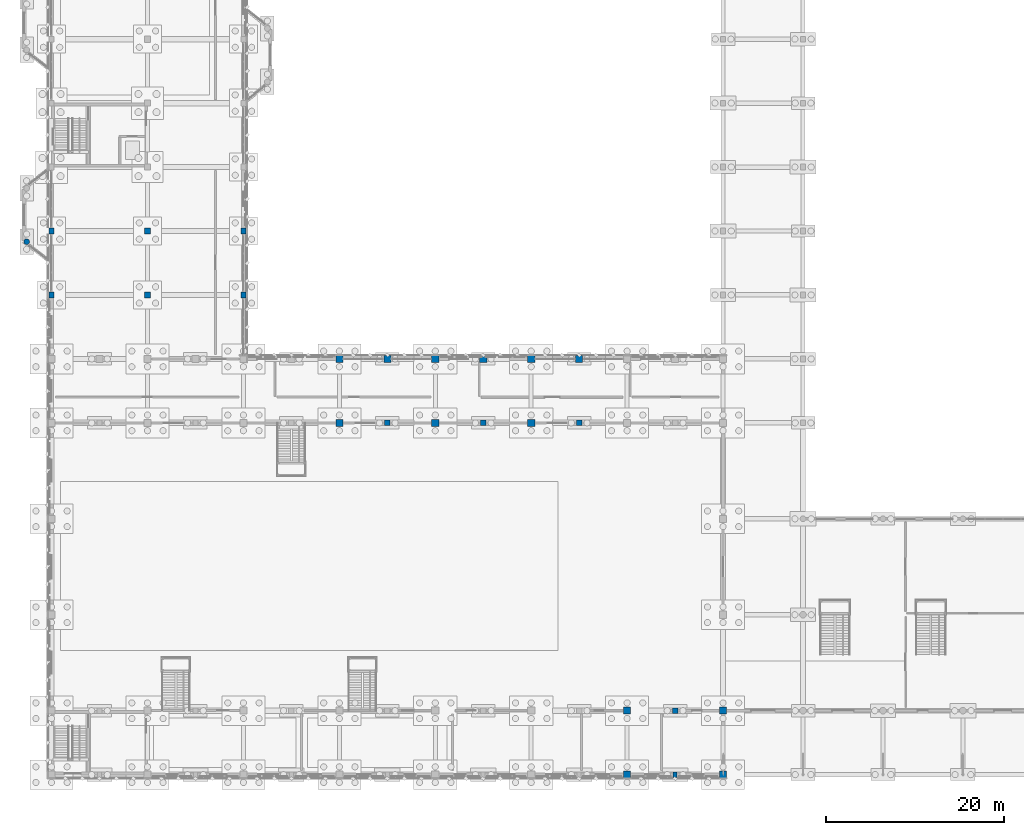
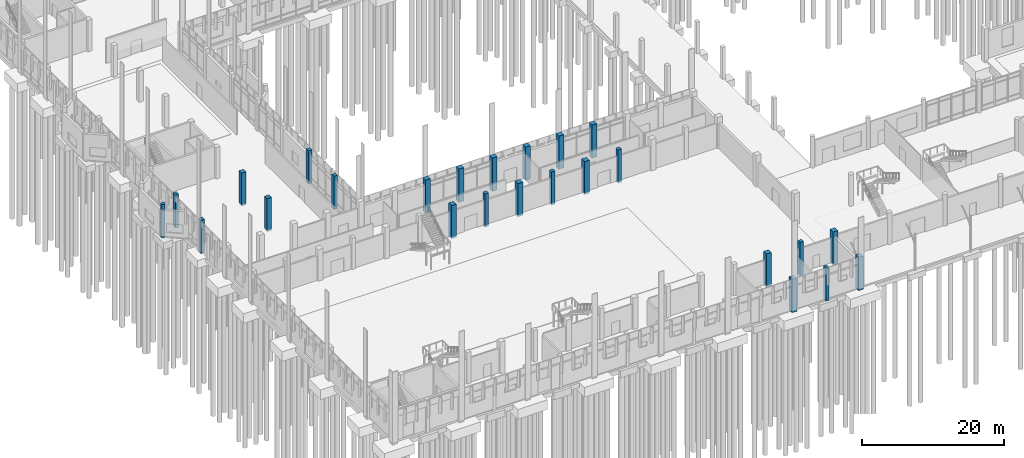
# One storey, part 17 of 109: 25 columns.
"""IFC4 building model written with IfcOpenShell, lengths in metres."""

from ifc_helpers import new_model, si_unit, direction, frame, origin, origin_2d, place, context, subcontext, project, spatial, rectangle, circle, extrude, material, material_profile, profile_set, type_object, element, save


model = new_model("IFC4")

# Units and contexts
model_context = context("Model", 3, precision=1e-05, world=origin(), true_north=direction((0.0, 1.0)))
body_context = subcontext(model_context, "Body", "Model", "MODEL_VIEW")
ifc_project = project(units=[si_unit("LENGTHUNIT", "METRE"), si_unit("AREAUNIT", "SQUARE_METRE"), si_unit("VOLUMEUNIT", "CUBIC_METRE"), si_unit("PLANEANGLEUNIT", "RADIAN"), si_unit("MASSUNIT", "GRAM", prefix="KILO")], contexts=[model_context])

# Site, building, storey
site_placement = place(None, origin())
site = spatial("IfcSite", under=ifc_project, at=site_placement, CompositionType="ELEMENT")
building_placement = place(site_placement, origin())
building = spatial("IfcBuilding", under=site, at=building_placement, Name="Lusvemor Sports Hall", CompositionType="ELEMENT")
storey_placement = place(building_placement, origin())
storey = spatial("IfcBuildingStorey", under=building, at=storey_placement, Name="L00", CompositionType="ELEMENT", Elevation=0.0)

# Columns
ifc_material_1 = material(Name="Concrete C40/50", Category="concrete")
ifc_material_profile_1 = material_profile(ifc_material_1, circle(Radius=0.324951171875, at=origin_2d()), Name="RCCIRC650")
ifc_profile_set_1 = profile_set([ifc_material_profile_1], Name="Concrete C40/50")
column_type_1 = type_object("IfcColumnType", Name="COL_COLONNADE", PredefinedType="COLUMN", material=ifc_profile_set_1)
column_1_placement = place(storey_placement, frame((-2.800048828125, 60.0, -0.300048828125), z_axis=(0.0, 0.0, 1.0), x_axis=(1.0, 0.0, 0.0)))
element("IfcColumn", 1, at=column_1_placement, inside=storey, type_object=column_type_1, Name="Art Nouveau Bow Column BOW-W1-1 (L00)", PredefinedType="COLUMN", context=body_context, shape_type="SweptSolid", body=[
    extrude(circle(Radius=0.324951171875, at=origin_2d()), origin(), (0.0, 0.0, 1.0), 5.699951171875),
])
ifc_material_2 = material(Name="Concrete C40/50", Category="concrete")
ifc_material_profile_2 = material_profile(ifc_material_2, rectangle(XDim=0.699951171875, YDim=0.699951171875, at=origin_2d()), Name="RC700x700")
ifc_profile_set_2 = profile_set([ifc_material_profile_2], Name="Concrete C40/50")
column_type_2 = type_object("IfcColumnType", Name="COL_HALL_I", PredefinedType="COLUMN", material=ifc_profile_set_2)
for number, where, z_axis, x_axis, name in (
    (2, (10.800048828125, 54.0, -0.300048828125), (0.0, 0.0, 1.0), (1.0, 0.0, 0.0), "Column 2/G (L00)"),
    (3, (10.800048828125, 61.199951171875, -0.300048828125), (0.0, 0.0, 1.0), (1.0, 0.0, 0.0), "Column 2/H (L00)"),
):
    element("IfcColumn", number, at=place(storey_placement, frame(where, z_axis=z_axis, x_axis=x_axis)), inside=storey, type_object=column_type_2, Name=name, PredefinedType="COLUMN", context=body_context, shape_type="SweptSolid", body=[
        extrude(rectangle(XDim=0.699951171875, YDim=0.699951171875, at=origin_2d()), origin(), (0.0, 0.0, 1.0), 5.699951171875),
    ])
ifc_material_3 = material(Name="Concrete C40/50", Category="concrete")
ifc_material_profile_3 = material_profile(ifc_material_3, rectangle(XDim=0.800048828125, YDim=0.800048828125, at=origin_2d()), Name="RC800x800")
ifc_profile_set_3 = profile_set([ifc_material_profile_3], Name="Concrete C40/50")
column_type_3 = type_object("IfcColumnType", Name="COL_HALL_W", PredefinedType="COLUMN", material=ifc_profile_set_3)
for number, where, z_axis, x_axis, name in (
    (4, (32.39990234375, 39.60009765625, -0.300048828125), (0.0, 0.0, 1.0), (1.0, 0.0, 0.0), "Column 4/E (L00)"),
    (5, (32.39990234375, 46.800048828125, -0.300048828125), (0.0, 0.0, 1.0), (1.0, 0.0, 0.0), "Column 4/F (L00)"),
    (6, (43.199951171875, 39.60009765625, -0.300048828125), (0.0, 0.0, 1.0), (1.0, 0.0, 0.0), "Column 5/E (L00)"),
    (7, (43.199951171875, 46.800048828125, -0.300048828125), (0.0, 0.0, 1.0), (1.0, 0.0, 0.0), "Column 5/F (L00)"),
    (8, (54.0, 39.60009765625, -0.300048828125), (0.0, 0.0, 1.0), (1.0, 0.0, 0.0), "Column 6/E (L00)"),
    (9, (54.0, 46.800048828125, -0.300048828125), (0.0, 0.0, 1.0), (1.0, 0.0, 0.0), "Column 6/F (L00)"),
    (10, (64.800048828125, 0.0, -0.300048828125), (0.0, 0.0, 1.0), (1.0, 0.0, 0.0), "Column 7/A (L00)"),
    (11, (64.800048828125, 7.199951171875, -0.300048828125), (0.0, 0.0, 1.0), (1.0, 0.0, 0.0), "Column 7/B (L00)"),
    (12, (75.60009765625, 0.0, -0.300048828125), (0.0, 0.0, 1.0), (1.0, 0.0, 0.0), "Column 8/A (L00)"),
    (13, (75.60009765625, 7.199951171875, -0.300048828125), (0.0, 0.0, 1.0), (1.0, 0.0, 0.0), "Column 8/B (L00)"),
    (14, (37.800048828125, 46.800048828125, -0.300048828125), (0.0, 0.0, 1.0), (1.0, 0.0, 0.0), "Wave North Eave Column N4 (L00)"),
    (15, (48.60009765625, 46.800048828125, -0.300048828125), (0.0, 0.0, 1.0), (1.0, 0.0, 0.0), "Wave North Eave Column N5 (L00)"),
    (16, (59.39990234375, 46.800048828125, -0.300048828125), (0.0, 0.0, 1.0), (1.0, 0.0, 0.0), "Wave North Eave Column N6 (L00)"),
):
    element("IfcColumn", number, at=place(storey_placement, frame(where, z_axis=z_axis, x_axis=x_axis)), inside=storey, type_object=column_type_3, Name=name, PredefinedType="COLUMN", context=body_context, shape_type="SweptSolid", body=[
        extrude(rectangle(XDim=0.800048828125, YDim=0.800048828125, at=origin_2d()), origin(), (0.0, 0.0, 1.0), 5.699951171875),
    ])
ifc_material_4 = material(Name="Concrete C40/50", Category="concrete")
ifc_material_profile_4 = material_profile(ifc_material_4, rectangle(XDim=0.56005859375, YDim=0.639892578125, at=origin_2d()), Name="RC560x640")
ifc_profile_set_4 = profile_set([ifc_material_profile_4], Name="Concrete C40/50")
column_type_4 = type_object("IfcColumnType", Name="COL_WING_E", PredefinedType="COLUMN", material=ifc_profile_set_4)
for number, where, z_axis, x_axis, name in (
    (17, (0.0, 54.0, -0.300048828125), (0.0, 0.0, 1.0), (1.0, 0.0, 0.0), "Column 1/G (L00)"),
    (18, (0.0, 61.199951171875, -0.300048828125), (0.0, 0.0, 1.0), (1.0, 0.0, 0.0), "Column 1/H (L00)"),
    (19, (21.60009765625, 54.0, -0.300048828125), (0.0, 0.0, 1.0), (1.0, 0.0, 0.0), "Column 3/G (L00)"),
    (20, (21.60009765625, 61.199951171875, -0.300048828125), (0.0, 0.0, 1.0), (1.0, 0.0, 0.0), "Column 3/H (L00)"),
):
    element("IfcColumn", number, at=place(storey_placement, frame(where, z_axis=z_axis, x_axis=x_axis)), inside=storey, type_object=column_type_4, Name=name, PredefinedType="COLUMN", context=body_context, shape_type="SweptSolid", body=[
        extrude(rectangle(XDim=0.56005859375, YDim=0.639892578125, at=origin_2d()), origin(), (0.0, 0.0, 1.0), 5.699951171875),
    ])
ifc_material_5 = material(Name="Concrete C40/50", Category="concrete")
ifc_material_profile_5 = material_profile(ifc_material_5, rectangle(XDim=0.60009765625, YDim=0.60009765625, at=origin_2d()), Name="RC600x600")
ifc_profile_set_5 = profile_set([ifc_material_profile_5], Name="Concrete C40/50")
column_type_5 = type_object("IfcColumnType", Name="COL_WING_L", PredefinedType="COLUMN", material=ifc_profile_set_5)
for number, where, z_axis, x_axis, name in (
    (21, (37.800048828125, 39.60009765625, -0.300048828125), (0.0, 0.0, 1.0), (1.0, 0.0, 0.0), "Wave Mid-Bay Column N4 (L00)"),
    (22, (48.60009765625, 39.60009765625, -0.300048828125), (0.0, 0.0, 1.0), (1.0, 0.0, 0.0), "Wave Mid-Bay Column N5 (L00)"),
    (23, (59.39990234375, 39.60009765625, -0.300048828125), (0.0, 0.0, 1.0), (1.0, 0.0, 0.0), "Wave Mid-Bay Column N6 (L00)"),
    (24, (70.199951171875, 7.199951171875, -0.300048828125), (0.0, 0.0, 1.0), (1.0, 0.0, 0.0), "Wave Mid-Bay Column S7 (L00)"),
):
    element("IfcColumn", number, at=place(storey_placement, frame(where, z_axis=z_axis, x_axis=x_axis)), inside=storey, type_object=column_type_5, Name=name, PredefinedType="COLUMN", context=body_context, shape_type="SweptSolid", body=[
        extrude(rectangle(XDim=0.60009765625, YDim=0.60009765625, at=origin_2d()), origin(), (0.0, 0.0, 1.0), 5.699951171875),
    ])
ifc_material_6 = material(Name="Concrete C40/50", Category="concrete")
ifc_material_profile_6 = material_profile(ifc_material_6, rectangle(XDim=0.449951171875, YDim=0.64990234375, at=origin_2d()), Name="RC450x650")
ifc_profile_set_6 = profile_set([ifc_material_profile_6], Name="Concrete C40/50")
column_type_6 = type_object("IfcColumnType", Name="PIL_BOUL_E", PredefinedType="PILASTER", material=ifc_profile_set_6)
column_2_placement = place(storey_placement, frame((70.199951171875, 0.0, -0.300048828125), z_axis=(0.0, 0.0, 1.0), x_axis=(1.0, 0.0, 0.0)))
element("IfcColumn", 25, at=column_2_placement, inside=storey, type_object=column_type_6, Name="Boulevard Pilaster S6 (L00)", PredefinedType="PILASTER", context=body_context, shape_type="SweptSolid", body=[
    extrude(rectangle(XDim=0.449951171875, YDim=0.64990234375, at=origin_2d()), origin(), (0.0, 0.0, 1.0), 5.699951171875),
])

save(model, "model.ifc")
